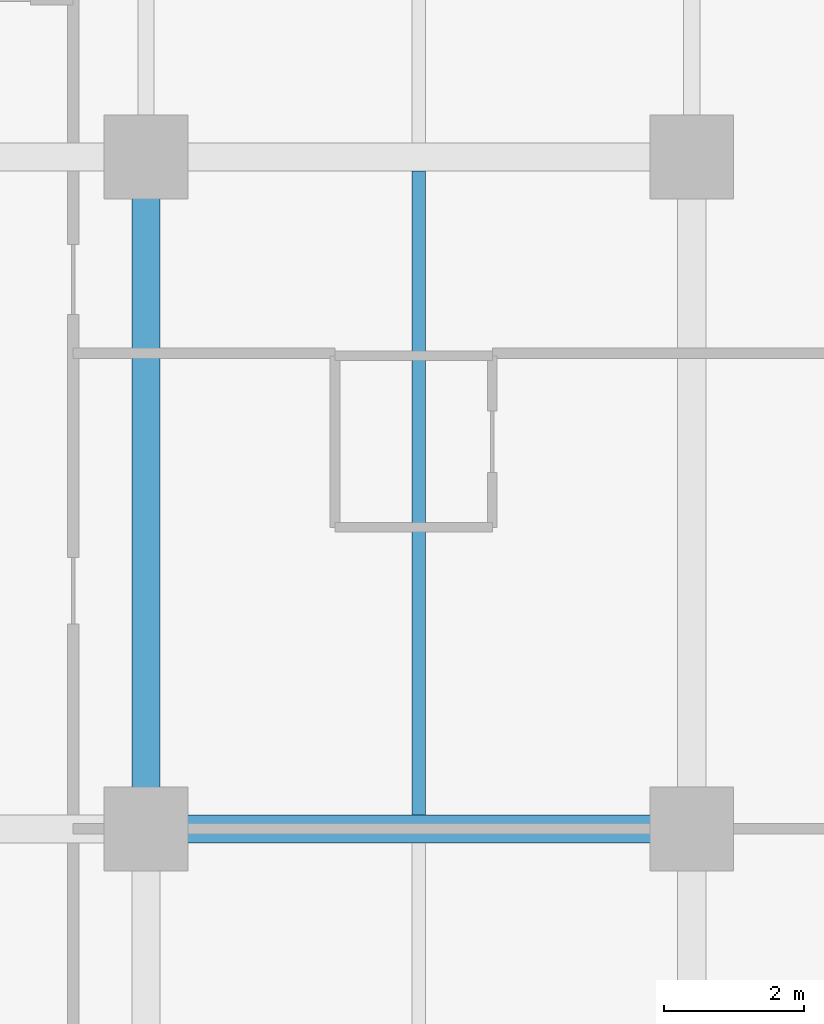
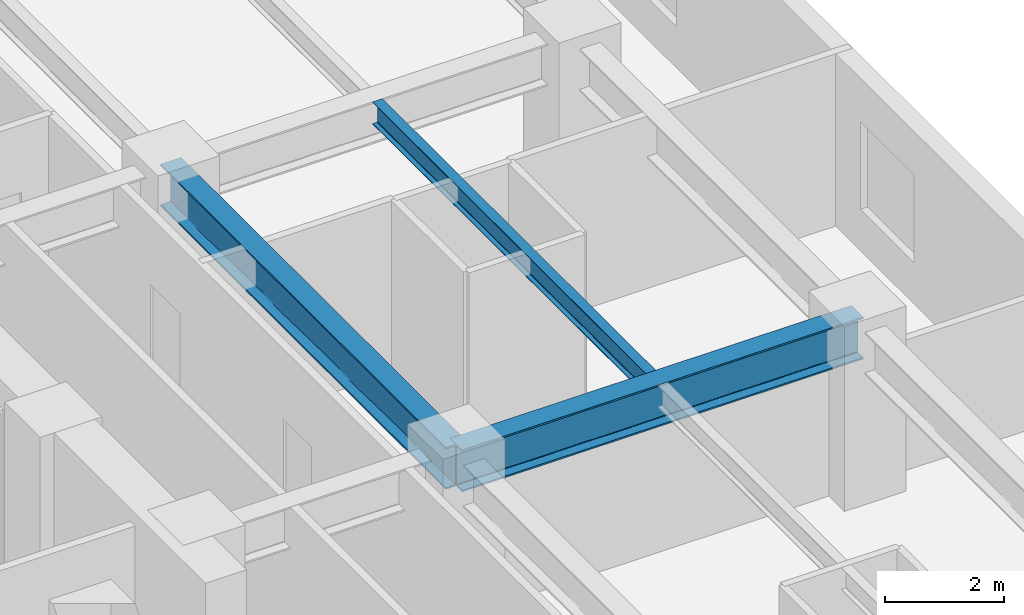
# One storey, part 2 of 11: 3 beams.
"""IFC4 building model written with IfcOpenShell, lengths in metres."""

from ifc_helpers import new_model, si_unit, direction, frame, origin, origin_2d, place, context, subcontext, project, spatial, i_section, extrude, material, material_profile, profile_set, type_object, element, save


model = new_model("IFC4")

# Units and contexts
model_context = context("Model", 3, precision=1e-05, world=origin(), true_north=direction((0.0, 1.0)))
body_context = subcontext(model_context, "Body", "Model", "MODEL_VIEW")
ifc_project = project(units=[si_unit("LENGTHUNIT", "METRE"), si_unit("AREAUNIT", "SQUARE_METRE"), si_unit("VOLUMEUNIT", "CUBIC_METRE"), si_unit("PLANEANGLEUNIT", "RADIAN"), si_unit("MASSUNIT", "GRAM", prefix="KILO")], contexts=[model_context])

# Site, building, storey
site_placement = place(None, origin())
site = spatial("IfcSite", under=ifc_project, at=site_placement, CompositionType="ELEMENT")
building_placement = place(site_placement, origin())
building = spatial("IfcBuilding", under=site, at=building_placement, Name="Kestravale Grand Hotel", CompositionType="ELEMENT")
storey_placement = place(building_placement, frame((0.0, 0.0, 107.0)))
storey = spatial("IfcBuildingStorey", under=building, at=storey_placement, Name="L26", CompositionType="ELEMENT", Elevation=107.0)

# Beams
ifc_material_1 = material(Name="Steel ASTM A992 Grade 50", Category="steel")
ifc_material_profile_1 = material_profile(ifc_material_1, i_section(OverallWidth=0.19091796875, OverallDepth=0.45703125, WebThickness=0.009033203125, FlangeThickness=0.014404296875, FilletRadius=0.015380859375, at=origin_2d()))
ifc_profile_set_1 = profile_set([ifc_material_profile_1], Name="Steel ASTM A992 Grade 50")
beam_type_1 = type_object("IfcBeamType", Name="B-FLR-JST18", PredefinedType="JOIST", material=ifc_profile_set_1)
beam_1_placement = place(storey_placement, frame((66.300048828125, 29.00048828125, 3.3115234375), z_axis=(0.0, 1.0, 0.0), x_axis=(-1.0, 0.0, 0.0)))
element("IfcBeam", 1, at=beam_1_placement, inside=storey, type_object=beam_type_1, Name="L26 floor joist 10-11/E-F #1", PredefinedType="JOIST", context=body_context, shape_type="SweptSolid", body=[
    extrude(i_section(OverallWidth=0.19091796875, OverallDepth=0.45703125, WebThickness=0.009033203125, FlangeThickness=0.014404296875, FilletRadius=0.015380859375, at=origin_2d()), origin(), (0.0, 0.0, 1.0), 9.198974609375),
])
ifc_material_2 = material(Name="Steel ASTM A992 Grade 50", Category="steel")
ifc_material_profile_2 = material_profile(ifc_material_2, i_section(OverallWidth=0.40087890625, OverallDepth=0.861083984375, WebThickness=0.019775390625, FlangeThickness=0.032470703125, FilletRadius=0.0234375, at=origin_2d()))
ifc_profile_set_2 = profile_set([ifc_material_profile_2], Name="Steel ASTM A992 Grade 50")
beam_type_2 = type_object("IfcBeamType", Name="B-GRD-W33", PredefinedType="BEAM", material=ifc_profile_set_2)
beam_2_placement = place(storey_placement, frame((62.39990234375, 28.800048828125, 3.109619140625), z_axis=(1.0, 0.0, 0.0), x_axis=(0.0, 1.0, 0.0)))
element("IfcBeam", 2, at=beam_2_placement, inside=storey, type_object=beam_type_2, Name="L26 girder E:10-11", PredefinedType="BEAM", context=body_context, shape_type="SweptSolid", body=[
    extrude(i_section(OverallWidth=0.40087890625, OverallDepth=0.861083984375, WebThickness=0.019775390625, FlangeThickness=0.032470703125, FilletRadius=0.0234375, at=origin_2d()), origin(), (0.0, 0.0, 1.0), 7.800048828125),
])
beam_3_placement = place(storey_placement, frame((62.39990234375, 28.800048828125, 3.109619140625), z_axis=(0.0, 1.0, 0.0), x_axis=(-1.0, 0.0, 0.0)))
element("IfcBeam", 3, at=beam_3_placement, inside=storey, type_object=beam_type_2, Name="L26 girder 10:E-F", PredefinedType="BEAM", context=body_context, shape_type="SweptSolid", body=[
    extrude(i_section(OverallWidth=0.40087890625, OverallDepth=0.861083984375, WebThickness=0.019775390625, FlangeThickness=0.032470703125, FilletRadius=0.0234375, at=origin_2d()), origin(), (0.0, 0.0, 1.0), 9.599853515625),
])

save(model, "model.ifc")
